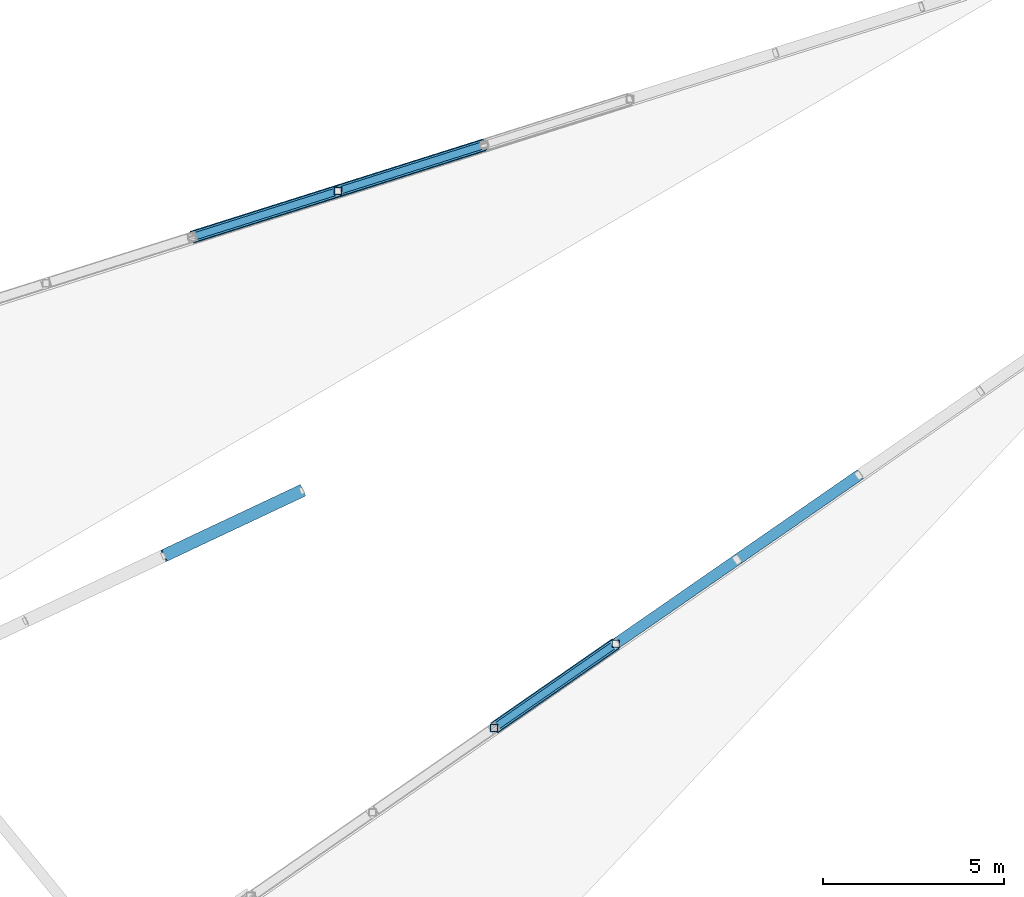
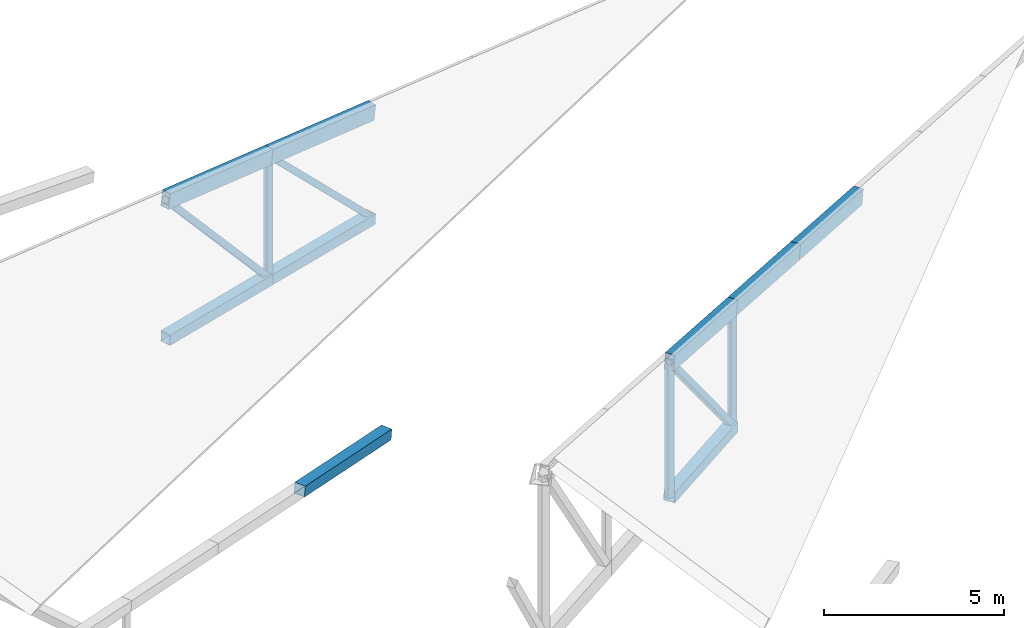
# One storey, part 12 of 188: 15 members.
"""IFC4 building model written with IfcOpenShell, lengths in metres."""

from ifc_helpers import new_model, si_unit, direction, frame, origin, origin_2d, place, context, subcontext, project, spatial, hollow_rectangle, extrude, material, material_profile, profile_set, type_object, element, save


model = new_model("IFC4")

# Units and contexts
model_context = context("Model", 3, precision=1e-05, world=origin(), true_north=direction((0.0, 1.0)))
body_context = subcontext(model_context, "Body", "Model", "MODEL_VIEW")
ifc_project = project(units=[si_unit("LENGTHUNIT", "METRE"), si_unit("AREAUNIT", "SQUARE_METRE"), si_unit("VOLUMEUNIT", "CUBIC_METRE"), si_unit("PLANEANGLEUNIT", "RADIAN"), si_unit("MASSUNIT", "GRAM", prefix="KILO")], contexts=[model_context])

# Site, building, storey
site_placement = place(None, origin())
site = spatial("IfcSite", under=ifc_project, at=site_placement, CompositionType="ELEMENT")
building_placement = place(site_placement, origin())
building = spatial("IfcBuilding", under=site, at=building_placement, Name="Meseta Stadium", CompositionType="ELEMENT")
storey_placement = place(building_placement, frame((0.0, 0.0, 30.0)))
storey = spatial("IfcBuildingStorey", under=building, at=storey_placement, Name="ROOF", CompositionType="ELEMENT", Elevation=30.0)

# Members
ifc_material_1 = material(Name="Steel S355", Category="steel")
ifc_material_profile_1 = material_profile(ifc_material_1, hollow_rectangle(XDim=0.300048828125, YDim=0.5, WallThickness=0.01611328125, at=origin_2d()), Name="RHS 500x300x16")
ifc_profile_set_1 = profile_set([ifc_material_profile_1], Name="Steel S355")
member_type_1 = type_object("IfcMemberType", Name="RHS 500x300x16 top chord", PredefinedType="CHORD", material=ifc_profile_set_1)
for number, where, z_axis, x_axis, name in (
    (1, (-61.988525390625, -56.83447265625, 4.376953125), (-0.941770505325, -0.297419246361, 0.156876088662), (0.301147972296, -0.953577421493, 0.0), "ROOF TRUSS RT-38 top chord"),
    (2, (-66.0146484375, -58.10595703125, 5.047607421875), (-0.941792955219, -0.297351195599, 0.156870315789), (0.301078788848, -0.953599267463, 0.0), "ROOF TRUSS RT-38 top chord"),
):
    element("IfcMember", number, at=place(storey_placement, frame(where, z_axis=z_axis, x_axis=x_axis)), inside=storey, type_object=member_type_1, Name=name, PredefinedType="CHORD", context=body_context, shape_type="SweptSolid", body=[
        extrude(hollow_rectangle(XDim=0.300048828125, YDim=0.5, WallThickness=0.01611328125, at=origin_2d()), origin(), (0.0, 0.0, 1.0), 4.275146484375),
    ])
member_1_placement = place(storey_placement, frame((-51.644775390625, -65.938720703125, 3.39990234375), z_axis=(-0.810006015641, -0.561281182198, 0.169863736963), x_axis=(0.569558253619, -0.821950969179, 0.0)))
element("IfcMember", 3, at=member_1_placement, inside=storey, type_object=member_type_1, Name="ROOF TRUSS RT-40 top chord", PredefinedType="CHORD", context=body_context, shape_type="SweptSolid", body=[
    extrude(hollow_rectangle(XDim=0.300048828125, YDim=0.5, WallThickness=0.01611328125, at=origin_2d()), origin(), (0.0, 0.0, 1.0), 4.142333984375),
])
member_2_placement = place(storey_placement, frame((-55.0, -68.263671875, 4.103515625), z_axis=(-0.809958947157, -0.561348349055, 0.169866226583), x_axis=(0.569626659021, -0.821903564497, 0.0)))
element("IfcMember", 4, at=member_2_placement, inside=storey, type_object=member_type_1, Name="ROOF TRUSS RT-40 top chord", PredefinedType="CHORD", context=body_context, shape_type="SweptSolid", body=[
    extrude(hollow_rectangle(XDim=0.300048828125, YDim=0.5, WallThickness=0.01611328125, at=origin_2d()), origin(), (0.0, 0.0, 1.0), 4.14208984375),
])
member_3_placement = place(storey_placement, frame((-58.35498046875, -70.5888671875, 4.80712890625), z_axis=(-0.810006015641, -0.561281182198, 0.169863736963), x_axis=(0.569558253619, -0.821950969179, 0.0)))
element("IfcMember", 5, at=member_3_placement, inside=storey, type_object=member_type_1, Name="ROOF TRUSS RT-40 top chord", PredefinedType="CHORD", context=body_context, shape_type="SweptSolid", body=[
    extrude(hollow_rectangle(XDim=0.300048828125, YDim=0.5, WallThickness=0.01611328125, at=origin_2d()), origin(), (0.0, 0.0, 1.0), 4.142333984375),
])
ifc_material_2 = material(Name="Steel S355", Category="steel")
ifc_material_profile_2 = material_profile(ifc_material_2, hollow_rectangle(XDim=0.199951171875, YDim=0.199951171875, WallThickness=0.008056640625, at=origin_2d()), Name="SHS 200x200x8")
ifc_profile_set_2 = profile_set([ifc_material_profile_2], Name="Steel S355")
member_type_2 = type_object("IfcMemberType", Name="SHS 200x200x8 diagonal", PredefinedType="BRACE", material=ifc_profile_set_2)
member_4_placement = place(storey_placement, frame((-61.988525390625, -56.83447265625, 0.7841796875), z_axis=(-0.670991102731, -0.211904776122, 0.710540150809), x_axis=(0.301147972296, -0.953577421493, 0.0)))
element("IfcMember", 6, at=member_4_placement, inside=storey, type_object=member_type_2, Name="ROOF TRUSS RT-38 diagonal", PredefinedType="BRACE", context=body_context, shape_type="SweptSolid", body=[
    extrude(hollow_rectangle(XDim=0.199951171875, YDim=0.199951171875, WallThickness=0.008056640625, at=origin_2d()), origin(), (0.0, 0.0, 1.0), 6.000244140625),
])
member_5_placement = place(storey_placement, frame((-66.0146484375, -58.10595703125, 0.906982421875), z_axis=(-0.628996320769, -0.198592277604, 0.751614752207), x_axis=(0.301078788848, -0.953599267463, 0.0)))
element("IfcMember", 7, at=member_5_placement, inside=storey, type_object=member_type_2, Name="ROOF TRUSS RT-38 diagonal", PredefinedType="BRACE", context=body_context, shape_type="SweptSolid", body=[
    extrude(hollow_rectangle(XDim=0.199951171875, YDim=0.199951171875, WallThickness=0.008056640625, at=origin_2d()), origin(), (0.0, 0.0, 1.0), 6.4013671875),
])
member_6_placement = place(storey_placement, frame((-58.35498046875, -70.5888671875, 0.783447265625), z_axis=(-0.537195351799, -0.372241238098, 0.75687357905), x_axis=(0.569558253619, -0.821950969179, 0.0)))
element("IfcMember", 8, at=member_6_placement, inside=storey, type_object=member_type_2, Name="ROOF TRUSS RT-40 diagonal", PredefinedType="BRACE", context=body_context, shape_type="SweptSolid", body=[
    extrude(hollow_rectangle(XDim=0.199951171875, YDim=0.199951171875, WallThickness=0.008056640625, at=origin_2d()), origin(), (0.0, 0.0, 1.0), 6.245849609375),
])
ifc_material_3 = material(Name="Steel S355", Category="steel")
ifc_material_profile_3 = material_profile(ifc_material_3, hollow_rectangle(XDim=0.199951171875, YDim=0.199951171875, WallThickness=0.008056640625, at=origin_2d()), Name="SHS 200x200x8")
ifc_profile_set_3 = profile_set([ifc_material_profile_3], Name="Steel S355")
member_type_3 = type_object("IfcMemberType", Name="SHS 200x200x8 post", PredefinedType="POST", material=ifc_profile_set_3)
member_7_placement = place(storey_placement, frame((-66.0146484375, -58.10595703125, 0.906982421875), z_axis=(0.0, 0.0, 1.0), x_axis=(1.0, 0.0, 0.0)))
element("IfcMember", 9, at=member_7_placement, inside=storey, type_object=member_type_3, Name="ROOF TRUSS RT-38 post", PredefinedType="POST", context=body_context, shape_type="SweptSolid", body=[
    extrude(hollow_rectangle(XDim=0.199951171875, YDim=0.199951171875, WallThickness=0.008056640625, at=origin_2d()), origin(), (0.0, 0.0, 1.0), 4.140625),
])
member_8_placement = place(storey_placement, frame((-58.35498046875, -70.5888671875, 0.783447265625), z_axis=(0.0, 0.0, 1.0), x_axis=(1.0, 0.0, 0.0)))
element("IfcMember", 10, at=member_8_placement, inside=storey, type_object=member_type_3, Name="ROOF TRUSS RT-40 post", PredefinedType="POST", context=body_context, shape_type="SweptSolid", body=[
    extrude(hollow_rectangle(XDim=0.199951171875, YDim=0.199951171875, WallThickness=0.008056640625, at=origin_2d()), origin(), (0.0, 0.0, 1.0), 4.023681640625),
])
member_9_placement = place(storey_placement, frame((-61.710205078125, -72.913818359375, 0.962158203125), z_axis=(0.0, 0.0, 1.0), x_axis=(1.0, 0.0, 0.0)))
element("IfcMember", 11, at=member_9_placement, inside=storey, type_object=member_type_3, Name="ROOF TRUSS RT-40 post", PredefinedType="POST", context=body_context, shape_type="SweptSolid", body=[
    extrude(hollow_rectangle(XDim=0.199951171875, YDim=0.199951171875, WallThickness=0.008056640625, at=origin_2d()), origin(), (0.0, 0.0, 1.0), 4.548583984375),
])
ifc_material_4 = material(Name="Steel S355", Category="steel")
ifc_material_profile_4 = material_profile(ifc_material_4, hollow_rectangle(XDim=0.35009765625, YDim=0.35009765625, WallThickness=0.010009765625, at=origin_2d()), Name="SHS 350x350x10")
ifc_profile_set_4 = profile_set([ifc_material_profile_4], Name="Steel S355")
member_type_4 = type_object("IfcMemberType", Name="SHS 350x350x10 top chord", PredefinedType="CHORD", material=ifc_profile_set_4)
member_10_placement = place(storey_placement, frame((-66.999755859375, -66.3642578125, 1.00439453125), z_axis=(-0.898670254409, -0.423370475009, 0.114670025423), x_axis=(0.426181724525, -0.904637572556, 0.0)))
element("IfcMember", 12, at=member_10_placement, inside=storey, type_object=member_type_4, Name="ROOF TRUSS RT-39 top chord", PredefinedType="CHORD", context=body_context, shape_type="SweptSolid", body=[
    extrude(hollow_rectangle(XDim=0.35009765625, YDim=0.35009765625, WallThickness=0.010009765625, at=origin_2d()), origin(), (0.0, 0.0, 1.0), 4.245361328125),
])
ifc_material_5 = material(Name="Steel S355", Category="steel")
ifc_material_profile_5 = material_profile(ifc_material_5, hollow_rectangle(XDim=0.35009765625, YDim=0.35009765625, WallThickness=0.01416015625, at=origin_2d()), Name="SHS 350x350x14.2")
ifc_profile_set_5 = profile_set([ifc_material_profile_5], Name="Steel S355")
member_type_5 = type_object("IfcMemberType", Name="SHS 350x350x14.2 bottom chord", PredefinedType="CHORD", material=ifc_profile_set_5)
member_11_placement = place(storey_placement, frame((-61.988525390625, -56.83447265625, 0.7841796875), z_axis=(-0.953174329263, -0.301020672294, 0.029073233134), x_axis=(0.301147972296, -0.953577421493, 0.0)))
element("IfcMember", 13, at=member_11_placement, inside=storey, type_object=member_type_5, Name="ROOF TRUSS RT-38 bottom chord", PredefinedType="CHORD", context=body_context, shape_type="SweptSolid", body=[
    extrude(hollow_rectangle(XDim=0.35009765625, YDim=0.35009765625, WallThickness=0.01416015625, at=origin_2d()), origin(), (0.0, 0.0, 1.0), 4.223876953125),
])
member_12_placement = place(storey_placement, frame((-66.0146484375, -58.10595703125, 0.906982421875), z_axis=(-0.953197796459, -0.300952032874, 0.02901438842), x_axis=(0.301078788848, -0.953599267463, 0.0)))
element("IfcMember", 14, at=member_12_placement, inside=storey, type_object=member_type_5, Name="ROOF TRUSS RT-38 bottom chord", PredefinedType="CHORD", context=body_context, shape_type="SweptSolid", body=[
    extrude(hollow_rectangle(XDim=0.35009765625, YDim=0.35009765625, WallThickness=0.01416015625, at=origin_2d()), origin(), (0.0, 0.0, 1.0), 4.22412109375),
])
member_13_placement = place(storey_placement, frame((-58.35498046875, -70.5888671875, 0.783447265625), z_axis=(-0.821164388902, -0.569013204942, 0.043738072668), x_axis=(0.569558253619, -0.821950969179, 0.0)))
element("IfcMember", 15, at=member_13_placement, inside=storey, type_object=member_type_5, Name="ROOF TRUSS RT-40 bottom chord", PredefinedType="CHORD", context=body_context, shape_type="SweptSolid", body=[
    extrude(hollow_rectangle(XDim=0.35009765625, YDim=0.35009765625, WallThickness=0.01416015625, at=origin_2d()), origin(), (0.0, 0.0, 1.0), 4.0859375),
])

save(model, "model.ifc")
